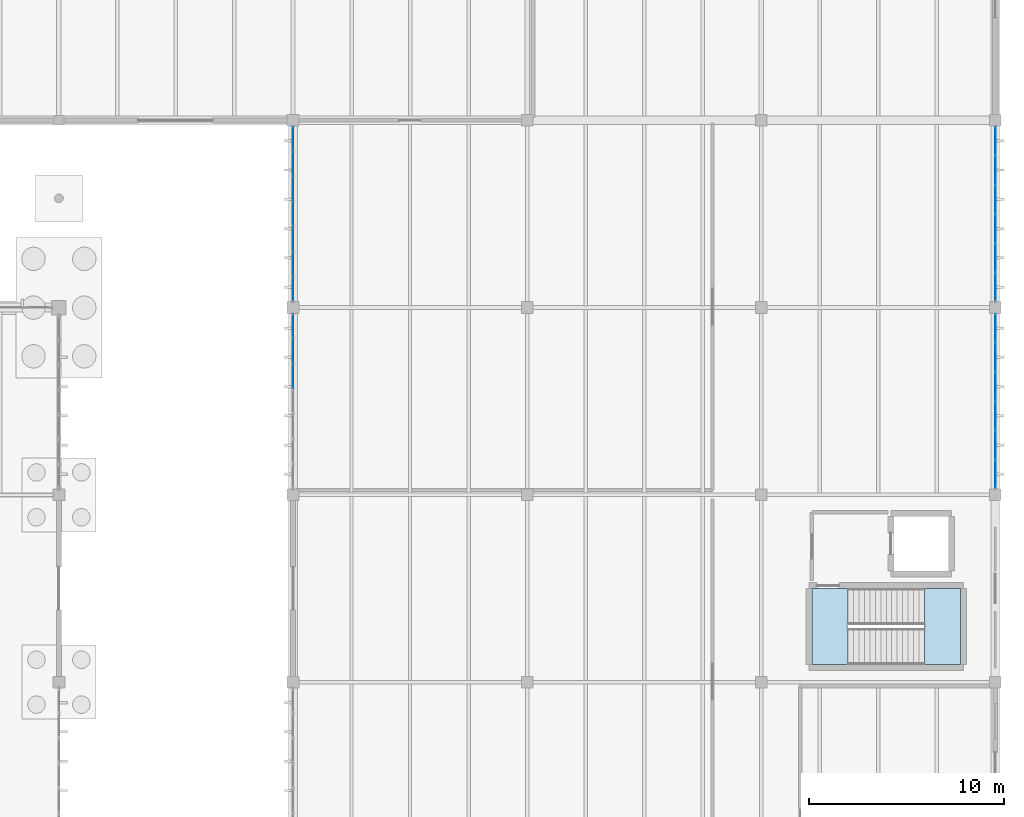
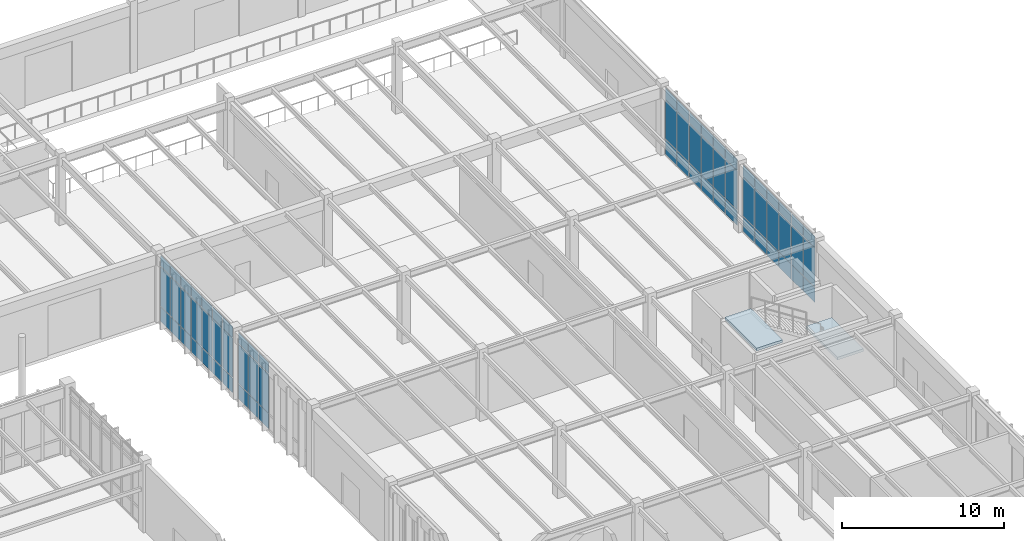
# One storey, part 144 of 188: 66 plates, 2 slabs, 5 elements without a shape of their own.
"""IFC4 building model written with IfcOpenShell, lengths in metres."""

from ifc_helpers import new_model, si_unit, direction, frame, origin, origin_2d, place, context, subcontext, project, spatial, polyline, rectangle, outline, extrude, material, layer, layer_set, type_object, element, aggregate, save


model = new_model("IFC4")

# Units and contexts
model_context = context("Model", 3, precision=1e-05, world=origin(), true_north=direction((0.0, 1.0)))
body_context = subcontext(model_context, "Body", "Model", "MODEL_VIEW")
ifc_project = project(units=[si_unit("LENGTHUNIT", "METRE"), si_unit("AREAUNIT", "SQUARE_METRE"), si_unit("VOLUMEUNIT", "CUBIC_METRE"), si_unit("PLANEANGLEUNIT", "RADIAN"), si_unit("MASSUNIT", "GRAM", prefix="KILO")], contexts=[model_context])

# Site, building, storey
site_placement = place(None, origin())
site = spatial("IfcSite", under=ifc_project, at=site_placement, CompositionType="ELEMENT")
building_placement = place(site_placement, origin())
building = spatial("IfcBuilding", under=site, at=building_placement, Name="Pandanus Reach Market Hall", CompositionType="ELEMENT")
storey_placement = place(building_placement, origin())
storey = spatial("IfcBuildingStorey", under=building, at=storey_placement, Name="L00", CompositionType="ELEMENT", Elevation=0.0)

# Curtain wall, plates
ifc_material_1 = material(Name="Bronze anodised aluminium and low-E glass", Category="aluminium")
ifc_layer_1 = layer(ifc_material_1, 0.159912109375, Name="CW-25")
ifc_layer_set_1 = layer_set([ifc_layer_1], Name="Bronze anodised aluminium and low-E glass")
curtain_wall_type_1 = type_object("IfcCurtainWallType", Name="CW-25", PredefinedType="NOTDEFINED", material=ifc_layer_set_1)
curtain_wall_1_placement = place(storey_placement, origin())
curtain_wall_1 = element("IfcCurtainWall", 1, at=curtain_wall_1_placement, inside=storey, type_object=curtain_wall_type_1, Name="Glazed curtain wall CW-25 CW-0073", PredefinedType="NOTDEFINED")
ifc_material_2 = material(Name="Solar-control double glazing", Category="glass")
ifc_layer_2 = layer(ifc_material_2, 0.028076171875, Name="CW-P1")
ifc_layer_set_2 = layer_set([ifc_layer_2], Name="Solar-control double glazing")
plate_type = type_object("IfcPlateType", Name="CW-P1", PredefinedType="CURTAIN_PANEL", material=ifc_layer_set_2)
plate_1_placement = place(storey_placement, frame((180.0, 77.8662109375, 0.06494140625), z_axis=(0.0, 0.0, 1.0), x_axis=(0.0, 1.0, 0.0)))
plate_1 = element("IfcPlate", 2, at=plate_1_placement, type_object=plate_type, Name="CW-25 panel 1.1", PredefinedType="CURTAIN_PANEL", context=body_context, shape_type="SweptSolid", body=[
    extrude(rectangle(XDim=1.402587890625, YDim=0.028076171875, at=origin_2d()), origin(), (0.0, 0.0, 1.0), 1.1025390625),
])
plate_2_placement = place(storey_placement, frame((180.0, 77.8662109375, 1.232421875), z_axis=(0.0, 0.0, 1.0), x_axis=(0.0, 1.0, 0.0)))
plate_2 = element("IfcPlate", 3, at=plate_2_placement, type_object=plate_type, Name="CW-25 panel 1.2", PredefinedType="CURTAIN_PANEL", context=body_context, shape_type="SweptSolid", body=[
    extrude(rectangle(XDim=1.402587890625, YDim=0.028076171875, at=origin_2d()), origin(), (0.0, 0.0, 1.0), 2.93505859375),
])
plate_3_placement = place(storey_placement, frame((180.0, 77.8662109375, 4.232421875), z_axis=(0.0, 0.0, 1.0), x_axis=(0.0, 1.0, 0.0)))
plate_3 = element("IfcPlate", 4, at=plate_3_placement, type_object=plate_type, Name="CW-25 panel 1.3", PredefinedType="CURTAIN_PANEL", context=body_context, shape_type="SweptSolid", body=[
    extrude(rectangle(XDim=1.402587890625, YDim=0.028076171875, at=origin_2d()), origin(), (0.0, 0.0, 1.0), 0.802490234375),
])
plate_4_placement = place(storey_placement, frame((180.0, 79.35009765625, 0.06494140625), z_axis=(0.0, 0.0, 1.0), x_axis=(0.0, 1.0, 0.0)))
plate_4 = element("IfcPlate", 5, at=plate_4_placement, type_object=plate_type, Name="CW-25 panel 2.1", PredefinedType="CURTAIN_PANEL", context=body_context, shape_type="SweptSolid", body=[
    extrude(rectangle(XDim=1.43505859375, YDim=0.028076171875, at=origin_2d()), origin(), (0.0, 0.0, 1.0), 1.1025390625),
])
plate_5_placement = place(storey_placement, frame((180.0, 79.35009765625, 1.232421875), z_axis=(0.0, 0.0, 1.0), x_axis=(0.0, 1.0, 0.0)))
plate_5 = element("IfcPlate", 6, at=plate_5_placement, type_object=plate_type, Name="CW-25 panel 2.2", PredefinedType="CURTAIN_PANEL", context=body_context, shape_type="SweptSolid", body=[
    extrude(rectangle(XDim=1.43505859375, YDim=0.028076171875, at=origin_2d()), origin(), (0.0, 0.0, 1.0), 2.93505859375),
])
plate_6_placement = place(storey_placement, frame((180.0, 79.35009765625, 4.232421875), z_axis=(0.0, 0.0, 1.0), x_axis=(0.0, 1.0, 0.0)))
plate_6 = element("IfcPlate", 7, at=plate_6_placement, type_object=plate_type, Name="CW-25 panel 2.3", PredefinedType="CURTAIN_PANEL", context=body_context, shape_type="SweptSolid", body=[
    extrude(rectangle(XDim=1.43505859375, YDim=0.028076171875, at=origin_2d()), origin(), (0.0, 0.0, 1.0), 0.802490234375),
])
plate_7_placement = place(storey_placement, frame((180.0, 80.85009765625, 0.06494140625), z_axis=(0.0, 0.0, 1.0), x_axis=(0.0, 1.0, 0.0)))
plate_7 = element("IfcPlate", 8, at=plate_7_placement, type_object=plate_type, Name="CW-25 panel 3.1", PredefinedType="CURTAIN_PANEL", context=body_context, shape_type="SweptSolid", body=[
    extrude(rectangle(XDim=1.43505859375, YDim=0.028076171875, at=origin_2d()), origin(), (0.0, 0.0, 1.0), 1.1025390625),
])
plate_8_placement = place(storey_placement, frame((180.0, 80.85009765625, 1.232421875), z_axis=(0.0, 0.0, 1.0), x_axis=(0.0, 1.0, 0.0)))
plate_8 = element("IfcPlate", 9, at=plate_8_placement, type_object=plate_type, Name="CW-25 panel 3.2", PredefinedType="CURTAIN_PANEL", context=body_context, shape_type="SweptSolid", body=[
    extrude(rectangle(XDim=1.43505859375, YDim=0.028076171875, at=origin_2d()), origin(), (0.0, 0.0, 1.0), 2.93505859375),
])
plate_9_placement = place(storey_placement, frame((180.0, 80.85009765625, 4.232421875), z_axis=(0.0, 0.0, 1.0), x_axis=(0.0, 1.0, 0.0)))
plate_9 = element("IfcPlate", 10, at=plate_9_placement, type_object=plate_type, Name="CW-25 panel 3.3", PredefinedType="CURTAIN_PANEL", context=body_context, shape_type="SweptSolid", body=[
    extrude(rectangle(XDim=1.43505859375, YDim=0.028076171875, at=origin_2d()), origin(), (0.0, 0.0, 1.0), 0.802490234375),
])
plate_10_placement = place(storey_placement, frame((180.0, 82.35009765625, 0.06494140625), z_axis=(0.0, 0.0, 1.0), x_axis=(0.0, 1.0, 0.0)))
plate_10 = element("IfcPlate", 11, at=plate_10_placement, type_object=plate_type, Name="CW-25 panel 4.1", PredefinedType="CURTAIN_PANEL", context=body_context, shape_type="SweptSolid", body=[
    extrude(rectangle(XDim=1.43505859375, YDim=0.028076171875, at=origin_2d()), origin(), (0.0, 0.0, 1.0), 1.1025390625),
])
plate_11_placement = place(storey_placement, frame((180.0, 82.35009765625, 1.232421875), z_axis=(0.0, 0.0, 1.0), x_axis=(0.0, 1.0, 0.0)))
plate_11 = element("IfcPlate", 12, at=plate_11_placement, type_object=plate_type, Name="CW-25 panel 4.2", PredefinedType="CURTAIN_PANEL", context=body_context, shape_type="SweptSolid", body=[
    extrude(rectangle(XDim=1.43505859375, YDim=0.028076171875, at=origin_2d()), origin(), (0.0, 0.0, 1.0), 2.93505859375),
])
plate_12_placement = place(storey_placement, frame((180.0, 82.35009765625, 4.232421875), z_axis=(0.0, 0.0, 1.0), x_axis=(0.0, 1.0, 0.0)))
plate_12 = element("IfcPlate", 13, at=plate_12_placement, type_object=plate_type, Name="CW-25 panel 4.3", PredefinedType="CURTAIN_PANEL", context=body_context, shape_type="SweptSolid", body=[
    extrude(rectangle(XDim=1.43505859375, YDim=0.028076171875, at=origin_2d()), origin(), (0.0, 0.0, 1.0), 0.802490234375),
])
plate_13_placement = place(storey_placement, frame((180.0, 83.85009765625, 0.06494140625), z_axis=(0.0, 0.0, 1.0), x_axis=(0.0, 1.0, 0.0)))
plate_13 = element("IfcPlate", 14, at=plate_13_placement, type_object=plate_type, Name="CW-25 panel 5.1", PredefinedType="CURTAIN_PANEL", context=body_context, shape_type="SweptSolid", body=[
    extrude(rectangle(XDim=1.43505859375, YDim=0.028076171875, at=origin_2d()), origin(), (0.0, 0.0, 1.0), 1.1025390625),
])
plate_14_placement = place(storey_placement, frame((180.0, 83.85009765625, 1.232421875), z_axis=(0.0, 0.0, 1.0), x_axis=(0.0, 1.0, 0.0)))
plate_14 = element("IfcPlate", 15, at=plate_14_placement, type_object=plate_type, Name="CW-25 panel 5.2", PredefinedType="CURTAIN_PANEL", context=body_context, shape_type="SweptSolid", body=[
    extrude(rectangle(XDim=1.43505859375, YDim=0.028076171875, at=origin_2d()), origin(), (0.0, 0.0, 1.0), 2.93505859375),
])
plate_15_placement = place(storey_placement, frame((180.0, 83.85009765625, 4.232421875), z_axis=(0.0, 0.0, 1.0), x_axis=(0.0, 1.0, 0.0)))
plate_15 = element("IfcPlate", 16, at=plate_15_placement, type_object=plate_type, Name="CW-25 panel 5.3", PredefinedType="CURTAIN_PANEL", context=body_context, shape_type="SweptSolid", body=[
    extrude(rectangle(XDim=1.43505859375, YDim=0.028076171875, at=origin_2d()), origin(), (0.0, 0.0, 1.0), 0.802490234375),
])
plate_16_placement = place(storey_placement, frame((180.0, 85.333740234375, 0.06494140625), z_axis=(0.0, 0.0, 1.0), x_axis=(0.0, 1.0, 0.0)))
plate_16 = element("IfcPlate", 17, at=plate_16_placement, type_object=plate_type, Name="CW-25 panel 6.1", PredefinedType="CURTAIN_PANEL", context=body_context, shape_type="SweptSolid", body=[
    extrude(rectangle(XDim=1.402587890625, YDim=0.028076171875, at=origin_2d()), origin(), (0.0, 0.0, 1.0), 1.1025390625),
])
plate_17_placement = place(storey_placement, frame((180.0, 85.333740234375, 1.232421875), z_axis=(0.0, 0.0, 1.0), x_axis=(0.0, 1.0, 0.0)))
plate_17 = element("IfcPlate", 18, at=plate_17_placement, type_object=plate_type, Name="CW-25 panel 6.2", PredefinedType="CURTAIN_PANEL", context=body_context, shape_type="SweptSolid", body=[
    extrude(rectangle(XDim=1.402587890625, YDim=0.028076171875, at=origin_2d()), origin(), (0.0, 0.0, 1.0), 2.93505859375),
])
plate_18_placement = place(storey_placement, frame((180.0, 85.333740234375, 4.232421875), z_axis=(0.0, 0.0, 1.0), x_axis=(0.0, 1.0, 0.0)))
plate_18 = element("IfcPlate", 19, at=plate_18_placement, type_object=plate_type, Name="CW-25 panel 6.3", PredefinedType="CURTAIN_PANEL", context=body_context, shape_type="SweptSolid", body=[
    extrude(rectangle(XDim=1.402587890625, YDim=0.028076171875, at=origin_2d()), origin(), (0.0, 0.0, 1.0), 0.802490234375),
])
aggregate(curtain_wall_1, [plate_1, plate_2, plate_3, plate_4, plate_5, plate_6, plate_7, plate_8, plate_9, plate_10, plate_11, plate_12, plate_13, plate_14, plate_15, plate_16, plate_17, plate_18])

curtain_wall_2_placement = place(storey_placement, origin())
curtain_wall_2 = element("IfcCurtainWall", 20, at=curtain_wall_2_placement, inside=storey, type_object=curtain_wall_type_1, Name="Glazed curtain wall CW-25 CW-0074", PredefinedType="NOTDEFINED")
plate_19_placement = place(storey_placement, frame((180.0, 87.46630859375, 0.06494140625), z_axis=(0.0, 0.0, 1.0), x_axis=(0.0, 1.0, 0.0)))
plate_19 = element("IfcPlate", 21, at=plate_19_placement, type_object=plate_type, Name="CW-25 panel 1.1", PredefinedType="CURTAIN_PANEL", context=body_context, shape_type="SweptSolid", body=[
    extrude(rectangle(XDim=1.402587890625, YDim=0.028076171875, at=origin_2d()), origin(), (0.0, 0.0, 1.0), 1.1025390625),
])
plate_20_placement = place(storey_placement, frame((180.0, 87.46630859375, 1.232421875), z_axis=(0.0, 0.0, 1.0), x_axis=(0.0, 1.0, 0.0)))
plate_20 = element("IfcPlate", 22, at=plate_20_placement, type_object=plate_type, Name="CW-25 panel 1.2", PredefinedType="CURTAIN_PANEL", context=body_context, shape_type="SweptSolid", body=[
    extrude(rectangle(XDim=1.402587890625, YDim=0.028076171875, at=origin_2d()), origin(), (0.0, 0.0, 1.0), 2.93505859375),
])
plate_21_placement = place(storey_placement, frame((180.0, 87.46630859375, 4.232421875), z_axis=(0.0, 0.0, 1.0), x_axis=(0.0, 1.0, 0.0)))
plate_21 = element("IfcPlate", 23, at=plate_21_placement, type_object=plate_type, Name="CW-25 panel 1.3", PredefinedType="CURTAIN_PANEL", context=body_context, shape_type="SweptSolid", body=[
    extrude(rectangle(XDim=1.402587890625, YDim=0.028076171875, at=origin_2d()), origin(), (0.0, 0.0, 1.0), 0.802490234375),
])
plate_22_placement = place(storey_placement, frame((180.0, 88.949951171875, 0.06494140625), z_axis=(0.0, 0.0, 1.0), x_axis=(0.0, 1.0, 0.0)))
plate_22 = element("IfcPlate", 24, at=plate_22_placement, type_object=plate_type, Name="CW-25 panel 2.1", PredefinedType="CURTAIN_PANEL", context=body_context, shape_type="SweptSolid", body=[
    extrude(rectangle(XDim=1.43505859375, YDim=0.028076171875, at=origin_2d()), origin(), (0.0, 0.0, 1.0), 1.1025390625),
])
plate_23_placement = place(storey_placement, frame((180.0, 88.949951171875, 1.232421875), z_axis=(0.0, 0.0, 1.0), x_axis=(0.0, 1.0, 0.0)))
plate_23 = element("IfcPlate", 25, at=plate_23_placement, type_object=plate_type, Name="CW-25 panel 2.2", PredefinedType="CURTAIN_PANEL", context=body_context, shape_type="SweptSolid", body=[
    extrude(rectangle(XDim=1.43505859375, YDim=0.028076171875, at=origin_2d()), origin(), (0.0, 0.0, 1.0), 2.93505859375),
])
plate_24_placement = place(storey_placement, frame((180.0, 88.949951171875, 4.232421875), z_axis=(0.0, 0.0, 1.0), x_axis=(0.0, 1.0, 0.0)))
plate_24 = element("IfcPlate", 26, at=plate_24_placement, type_object=plate_type, Name="CW-25 panel 2.3", PredefinedType="CURTAIN_PANEL", context=body_context, shape_type="SweptSolid", body=[
    extrude(rectangle(XDim=1.43505859375, YDim=0.028076171875, at=origin_2d()), origin(), (0.0, 0.0, 1.0), 0.802490234375),
])
plate_25_placement = place(storey_placement, frame((180.0, 90.449951171875, 0.06494140625), z_axis=(0.0, 0.0, 1.0), x_axis=(0.0, 1.0, 0.0)))
plate_25 = element("IfcPlate", 27, at=plate_25_placement, type_object=plate_type, Name="CW-25 panel 3.1", PredefinedType="CURTAIN_PANEL", context=body_context, shape_type="SweptSolid", body=[
    extrude(rectangle(XDim=1.43505859375, YDim=0.028076171875, at=origin_2d()), origin(), (0.0, 0.0, 1.0), 1.1025390625),
])
plate_26_placement = place(storey_placement, frame((180.0, 90.449951171875, 1.232421875), z_axis=(0.0, 0.0, 1.0), x_axis=(0.0, 1.0, 0.0)))
plate_26 = element("IfcPlate", 28, at=plate_26_placement, type_object=plate_type, Name="CW-25 panel 3.2", PredefinedType="CURTAIN_PANEL", context=body_context, shape_type="SweptSolid", body=[
    extrude(rectangle(XDim=1.43505859375, YDim=0.028076171875, at=origin_2d()), origin(), (0.0, 0.0, 1.0), 2.93505859375),
])
plate_27_placement = place(storey_placement, frame((180.0, 90.449951171875, 4.232421875), z_axis=(0.0, 0.0, 1.0), x_axis=(0.0, 1.0, 0.0)))
plate_27 = element("IfcPlate", 29, at=plate_27_placement, type_object=plate_type, Name="CW-25 panel 3.3", PredefinedType="CURTAIN_PANEL", context=body_context, shape_type="SweptSolid", body=[
    extrude(rectangle(XDim=1.43505859375, YDim=0.028076171875, at=origin_2d()), origin(), (0.0, 0.0, 1.0), 0.802490234375),
])
plate_28_placement = place(storey_placement, frame((180.0, 91.949951171875, 0.06494140625), z_axis=(0.0, 0.0, 1.0), x_axis=(0.0, 1.0, 0.0)))
plate_28 = element("IfcPlate", 30, at=plate_28_placement, type_object=plate_type, Name="CW-25 panel 4.1", PredefinedType="CURTAIN_PANEL", context=body_context, shape_type="SweptSolid", body=[
    extrude(rectangle(XDim=1.43505859375, YDim=0.028076171875, at=origin_2d()), origin(), (0.0, 0.0, 1.0), 1.1025390625),
])
plate_29_placement = place(storey_placement, frame((180.0, 91.949951171875, 1.232421875), z_axis=(0.0, 0.0, 1.0), x_axis=(0.0, 1.0, 0.0)))
plate_29 = element("IfcPlate", 31, at=plate_29_placement, type_object=plate_type, Name="CW-25 panel 4.2", PredefinedType="CURTAIN_PANEL", context=body_context, shape_type="SweptSolid", body=[
    extrude(rectangle(XDim=1.43505859375, YDim=0.028076171875, at=origin_2d()), origin(), (0.0, 0.0, 1.0), 2.93505859375),
])
plate_30_placement = place(storey_placement, frame((180.0, 91.949951171875, 4.232421875), z_axis=(0.0, 0.0, 1.0), x_axis=(0.0, 1.0, 0.0)))
plate_30 = element("IfcPlate", 32, at=plate_30_placement, type_object=plate_type, Name="CW-25 panel 4.3", PredefinedType="CURTAIN_PANEL", context=body_context, shape_type="SweptSolid", body=[
    extrude(rectangle(XDim=1.43505859375, YDim=0.028076171875, at=origin_2d()), origin(), (0.0, 0.0, 1.0), 0.802490234375),
])
plate_31_placement = place(storey_placement, frame((180.0, 93.449951171875, 0.06494140625), z_axis=(0.0, 0.0, 1.0), x_axis=(0.0, 1.0, 0.0)))
plate_31 = element("IfcPlate", 33, at=plate_31_placement, type_object=plate_type, Name="CW-25 panel 5.1", PredefinedType="CURTAIN_PANEL", context=body_context, shape_type="SweptSolid", body=[
    extrude(rectangle(XDim=1.43505859375, YDim=0.028076171875, at=origin_2d()), origin(), (0.0, 0.0, 1.0), 1.1025390625),
])
plate_32_placement = place(storey_placement, frame((180.0, 93.449951171875, 1.232421875), z_axis=(0.0, 0.0, 1.0), x_axis=(0.0, 1.0, 0.0)))
plate_32 = element("IfcPlate", 34, at=plate_32_placement, type_object=plate_type, Name="CW-25 panel 5.2", PredefinedType="CURTAIN_PANEL", context=body_context, shape_type="SweptSolid", body=[
    extrude(rectangle(XDim=1.43505859375, YDim=0.028076171875, at=origin_2d()), origin(), (0.0, 0.0, 1.0), 2.93505859375),
])
plate_33_placement = place(storey_placement, frame((180.0, 93.449951171875, 4.232421875), z_axis=(0.0, 0.0, 1.0), x_axis=(0.0, 1.0, 0.0)))
plate_33 = element("IfcPlate", 35, at=plate_33_placement, type_object=plate_type, Name="CW-25 panel 5.3", PredefinedType="CURTAIN_PANEL", context=body_context, shape_type="SweptSolid", body=[
    extrude(rectangle(XDim=1.43505859375, YDim=0.028076171875, at=origin_2d()), origin(), (0.0, 0.0, 1.0), 0.802490234375),
])
plate_34_placement = place(storey_placement, frame((180.0, 94.933837890625, 0.06494140625), z_axis=(0.0, 0.0, 1.0), x_axis=(0.0, 1.0, 0.0)))
plate_34 = element("IfcPlate", 36, at=plate_34_placement, type_object=plate_type, Name="CW-25 panel 6.1", PredefinedType="CURTAIN_PANEL", context=body_context, shape_type="SweptSolid", body=[
    extrude(rectangle(XDim=1.402587890625, YDim=0.028076171875, at=origin_2d()), origin(), (0.0, 0.0, 1.0), 1.1025390625),
])
plate_35_placement = place(storey_placement, frame((180.0, 94.933837890625, 1.232421875), z_axis=(0.0, 0.0, 1.0), x_axis=(0.0, 1.0, 0.0)))
plate_35 = element("IfcPlate", 37, at=plate_35_placement, type_object=plate_type, Name="CW-25 panel 6.2", PredefinedType="CURTAIN_PANEL", context=body_context, shape_type="SweptSolid", body=[
    extrude(rectangle(XDim=1.402587890625, YDim=0.028076171875, at=origin_2d()), origin(), (0.0, 0.0, 1.0), 2.93505859375),
])
plate_36_placement = place(storey_placement, frame((180.0, 94.933837890625, 4.232421875), z_axis=(0.0, 0.0, 1.0), x_axis=(0.0, 1.0, 0.0)))
plate_36 = element("IfcPlate", 38, at=plate_36_placement, type_object=plate_type, Name="CW-25 panel 6.3", PredefinedType="CURTAIN_PANEL", context=body_context, shape_type="SweptSolid", body=[
    extrude(rectangle(XDim=1.402587890625, YDim=0.028076171875, at=origin_2d()), origin(), (0.0, 0.0, 1.0), 0.802490234375),
])
aggregate(curtain_wall_2, [plate_19, plate_20, plate_21, plate_22, plate_23, plate_24, plate_25, plate_26, plate_27, plate_28, plate_29, plate_30, plate_31, plate_32, plate_33, plate_34, plate_35, plate_36])

ifc_layer_3 = layer(ifc_material_1, 0.159912109375, Name="CW-26")
ifc_layer_set_3 = layer_set([ifc_layer_3], Name="Bronze anodised aluminium and low-E glass")
curtain_wall_type_2 = type_object("IfcCurtainWallType", Name="CW-26", PredefinedType="NOTDEFINED", material=ifc_layer_set_3)
curtain_wall_3_placement = place(storey_placement, origin())
curtain_wall_3 = element("IfcCurtainWall", 39, at=curtain_wall_3_placement, inside=storey, type_object=curtain_wall_type_2, Name="Glazed curtain wall CW-26 CW-0080", PredefinedType="NOTDEFINED")
plate_37_placement = place(storey_placement, frame((144.0, 82.8857421875, 0.06494140625), z_axis=(0.0, 0.0, 1.0), x_axis=(0.0, 1.0, 0.0)))
plate_37 = element("IfcPlate", 40, at=plate_37_placement, type_object=plate_type, Name="CW-26 panel 5.1", PredefinedType="CURTAIN_PANEL", context=body_context, shape_type="SweptSolid", body=[
    extrude(rectangle(XDim=1.220703125, YDim=0.028076171875, at=origin_2d()), origin(), (0.0, 0.0, 1.0), 1.1025390625),
])
plate_38_placement = place(storey_placement, frame((144.0, 82.8857421875, 1.232421875), z_axis=(0.0, 0.0, 1.0), x_axis=(0.0, 1.0, 0.0)))
plate_38 = element("IfcPlate", 41, at=plate_38_placement, type_object=plate_type, Name="CW-26 panel 5.2", PredefinedType="CURTAIN_PANEL", context=body_context, shape_type="SweptSolid", body=[
    extrude(rectangle(XDim=1.220703125, YDim=0.028076171875, at=origin_2d()), origin(), (0.0, 0.0, 1.0), 2.93505859375),
])
plate_39_placement = place(storey_placement, frame((144.0, 82.8857421875, 4.232421875), z_axis=(0.0, 0.0, 1.0), x_axis=(0.0, 1.0, 0.0)))
plate_39 = element("IfcPlate", 42, at=plate_39_placement, type_object=plate_type, Name="CW-26 panel 5.3", PredefinedType="CURTAIN_PANEL", context=body_context, shape_type="SweptSolid", body=[
    extrude(rectangle(XDim=1.220703125, YDim=0.028076171875, at=origin_2d()), origin(), (0.0, 0.0, 1.0), 0.802490234375),
])
plate_40_placement = place(storey_placement, frame((144.0, 84.17138671875, 0.06494140625), z_axis=(0.0, 0.0, 1.0), x_axis=(0.0, 1.0, 0.0)))
plate_40 = element("IfcPlate", 43, at=plate_40_placement, type_object=plate_type, Name="CW-26 panel 6.1", PredefinedType="CURTAIN_PANEL", context=body_context, shape_type="SweptSolid", body=[
    extrude(rectangle(XDim=1.220703125, YDim=0.028076171875, at=origin_2d()), origin(), (0.0, 0.0, 1.0), 1.1025390625),
])
plate_41_placement = place(storey_placement, frame((144.0, 84.17138671875, 1.232421875), z_axis=(0.0, 0.0, 1.0), x_axis=(0.0, 1.0, 0.0)))
plate_41 = element("IfcPlate", 44, at=plate_41_placement, type_object=plate_type, Name="CW-26 panel 6.2", PredefinedType="CURTAIN_PANEL", context=body_context, shape_type="SweptSolid", body=[
    extrude(rectangle(XDim=1.220703125, YDim=0.028076171875, at=origin_2d()), origin(), (0.0, 0.0, 1.0), 2.93505859375),
])
plate_42_placement = place(storey_placement, frame((144.0, 84.17138671875, 4.232421875), z_axis=(0.0, 0.0, 1.0), x_axis=(0.0, 1.0, 0.0)))
plate_42 = element("IfcPlate", 45, at=plate_42_placement, type_object=plate_type, Name="CW-26 panel 6.3", PredefinedType="CURTAIN_PANEL", context=body_context, shape_type="SweptSolid", body=[
    extrude(rectangle(XDim=1.220703125, YDim=0.028076171875, at=origin_2d()), origin(), (0.0, 0.0, 1.0), 0.802490234375),
])
plate_43_placement = place(storey_placement, frame((144.0, 85.44091796875, 0.06494140625), z_axis=(0.0, 0.0, 1.0), x_axis=(0.0, 1.0, 0.0)))
plate_43 = element("IfcPlate", 46, at=plate_43_placement, type_object=plate_type, Name="CW-26 panel 7.1", PredefinedType="CURTAIN_PANEL", context=body_context, shape_type="SweptSolid", body=[
    extrude(rectangle(XDim=1.188232421875, YDim=0.028076171875, at=origin_2d()), origin(), (0.0, 0.0, 1.0), 1.1025390625),
])
plate_44_placement = place(storey_placement, frame((144.0, 85.44091796875, 1.232421875), z_axis=(0.0, 0.0, 1.0), x_axis=(0.0, 1.0, 0.0)))
plate_44 = element("IfcPlate", 47, at=plate_44_placement, type_object=plate_type, Name="CW-26 panel 7.2", PredefinedType="CURTAIN_PANEL", context=body_context, shape_type="SweptSolid", body=[
    extrude(rectangle(XDim=1.188232421875, YDim=0.028076171875, at=origin_2d()), origin(), (0.0, 0.0, 1.0), 2.93505859375),
])
plate_45_placement = place(storey_placement, frame((144.0, 85.44091796875, 4.232421875), z_axis=(0.0, 0.0, 1.0), x_axis=(0.0, 1.0, 0.0)))
plate_45 = element("IfcPlate", 48, at=plate_45_placement, type_object=plate_type, Name="CW-26 panel 7.3", PredefinedType="CURTAIN_PANEL", context=body_context, shape_type="SweptSolid", body=[
    extrude(rectangle(XDim=1.188232421875, YDim=0.028076171875, at=origin_2d()), origin(), (0.0, 0.0, 1.0), 0.802490234375),
])
aggregate(curtain_wall_3, [plate_37, plate_38, plate_39, plate_40, plate_41, plate_42, plate_43, plate_44, plate_45])

curtain_wall_4_placement = place(storey_placement, origin())
curtain_wall_4 = element("IfcCurtainWall", 49, at=curtain_wall_4_placement, inside=storey, type_object=curtain_wall_type_2, Name="Glazed curtain wall CW-26 CW-0081", PredefinedType="NOTDEFINED")
plate_46_placement = place(storey_placement, frame((144.0, 87.359130859375, 0.06494140625), z_axis=(0.0, 0.0, 1.0), x_axis=(0.0, 1.0, 0.0)))
plate_46 = element("IfcPlate", 50, at=plate_46_placement, type_object=plate_type, Name="CW-26 panel 1.1", PredefinedType="CURTAIN_PANEL", context=body_context, shape_type="SweptSolid", body=[
    extrude(rectangle(XDim=1.188232421875, YDim=0.028076171875, at=origin_2d()), origin(), (0.0, 0.0, 1.0), 1.1025390625),
])
plate_47_placement = place(storey_placement, frame((144.0, 87.359130859375, 1.232421875), z_axis=(0.0, 0.0, 1.0), x_axis=(0.0, 1.0, 0.0)))
plate_47 = element("IfcPlate", 51, at=plate_47_placement, type_object=plate_type, Name="CW-26 panel 1.2", PredefinedType="CURTAIN_PANEL", context=body_context, shape_type="SweptSolid", body=[
    extrude(rectangle(XDim=1.188232421875, YDim=0.028076171875, at=origin_2d()), origin(), (0.0, 0.0, 1.0), 2.93505859375),
])
plate_48_placement = place(storey_placement, frame((144.0, 87.359130859375, 4.232421875), z_axis=(0.0, 0.0, 1.0), x_axis=(0.0, 1.0, 0.0)))
plate_48 = element("IfcPlate", 52, at=plate_48_placement, type_object=plate_type, Name="CW-26 panel 1.3", PredefinedType="CURTAIN_PANEL", context=body_context, shape_type="SweptSolid", body=[
    extrude(rectangle(XDim=1.188232421875, YDim=0.028076171875, at=origin_2d()), origin(), (0.0, 0.0, 1.0), 0.802490234375),
])
plate_49_placement = place(storey_placement, frame((144.0, 88.628662109375, 0.06494140625), z_axis=(0.0, 0.0, 1.0), x_axis=(0.0, 1.0, 0.0)))
plate_49 = element("IfcPlate", 53, at=plate_49_placement, type_object=plate_type, Name="CW-26 panel 2.1", PredefinedType="CURTAIN_PANEL", context=body_context, shape_type="SweptSolid", body=[
    extrude(rectangle(XDim=1.220703125, YDim=0.028076171875, at=origin_2d()), origin(), (0.0, 0.0, 1.0), 1.1025390625),
])
plate_50_placement = place(storey_placement, frame((144.0, 88.628662109375, 1.232421875), z_axis=(0.0, 0.0, 1.0), x_axis=(0.0, 1.0, 0.0)))
plate_50 = element("IfcPlate", 54, at=plate_50_placement, type_object=plate_type, Name="CW-26 panel 2.2", PredefinedType="CURTAIN_PANEL", context=body_context, shape_type="SweptSolid", body=[
    extrude(rectangle(XDim=1.220703125, YDim=0.028076171875, at=origin_2d()), origin(), (0.0, 0.0, 1.0), 2.93505859375),
])
plate_51_placement = place(storey_placement, frame((144.0, 88.628662109375, 4.232421875), z_axis=(0.0, 0.0, 1.0), x_axis=(0.0, 1.0, 0.0)))
plate_51 = element("IfcPlate", 55, at=plate_51_placement, type_object=plate_type, Name="CW-26 panel 2.3", PredefinedType="CURTAIN_PANEL", context=body_context, shape_type="SweptSolid", body=[
    extrude(rectangle(XDim=1.220703125, YDim=0.028076171875, at=origin_2d()), origin(), (0.0, 0.0, 1.0), 0.802490234375),
])
plate_52_placement = place(storey_placement, frame((144.0, 89.914306640625, 0.06494140625), z_axis=(0.0, 0.0, 1.0), x_axis=(0.0, 1.0, 0.0)))
plate_52 = element("IfcPlate", 56, at=plate_52_placement, type_object=plate_type, Name="CW-26 panel 3.1", PredefinedType="CURTAIN_PANEL", context=body_context, shape_type="SweptSolid", body=[
    extrude(rectangle(XDim=1.220703125, YDim=0.028076171875, at=origin_2d()), origin(), (0.0, 0.0, 1.0), 1.1025390625),
])
plate_53_placement = place(storey_placement, frame((144.0, 89.914306640625, 1.232421875), z_axis=(0.0, 0.0, 1.0), x_axis=(0.0, 1.0, 0.0)))
plate_53 = element("IfcPlate", 57, at=plate_53_placement, type_object=plate_type, Name="CW-26 panel 3.2", PredefinedType="CURTAIN_PANEL", context=body_context, shape_type="SweptSolid", body=[
    extrude(rectangle(XDim=1.220703125, YDim=0.028076171875, at=origin_2d()), origin(), (0.0, 0.0, 1.0), 2.93505859375),
])
plate_54_placement = place(storey_placement, frame((144.0, 89.914306640625, 4.232421875), z_axis=(0.0, 0.0, 1.0), x_axis=(0.0, 1.0, 0.0)))
plate_54 = element("IfcPlate", 58, at=plate_54_placement, type_object=plate_type, Name="CW-26 panel 3.3", PredefinedType="CURTAIN_PANEL", context=body_context, shape_type="SweptSolid", body=[
    extrude(rectangle(XDim=1.220703125, YDim=0.028076171875, at=origin_2d()), origin(), (0.0, 0.0, 1.0), 0.802490234375),
])
plate_55_placement = place(storey_placement, frame((144.0, 91.199951171875, 0.06494140625), z_axis=(0.0, 0.0, 1.0), x_axis=(0.0, 1.0, 0.0)))
plate_55 = element("IfcPlate", 59, at=plate_55_placement, type_object=plate_type, Name="CW-26 panel 4.1", PredefinedType="CURTAIN_PANEL", context=body_context, shape_type="SweptSolid", body=[
    extrude(rectangle(XDim=1.220703125, YDim=0.028076171875, at=origin_2d()), origin(), (0.0, 0.0, 1.0), 1.1025390625),
])
plate_56_placement = place(storey_placement, frame((144.0, 91.199951171875, 1.232421875), z_axis=(0.0, 0.0, 1.0), x_axis=(0.0, 1.0, 0.0)))
plate_56 = element("IfcPlate", 60, at=plate_56_placement, type_object=plate_type, Name="CW-26 panel 4.2", PredefinedType="CURTAIN_PANEL", context=body_context, shape_type="SweptSolid", body=[
    extrude(rectangle(XDim=1.220703125, YDim=0.028076171875, at=origin_2d()), origin(), (0.0, 0.0, 1.0), 2.93505859375),
])
plate_57_placement = place(storey_placement, frame((144.0, 91.199951171875, 4.232421875), z_axis=(0.0, 0.0, 1.0), x_axis=(0.0, 1.0, 0.0)))
plate_57 = element("IfcPlate", 61, at=plate_57_placement, type_object=plate_type, Name="CW-26 panel 4.3", PredefinedType="CURTAIN_PANEL", context=body_context, shape_type="SweptSolid", body=[
    extrude(rectangle(XDim=1.220703125, YDim=0.028076171875, at=origin_2d()), origin(), (0.0, 0.0, 1.0), 0.802490234375),
])
plate_58_placement = place(storey_placement, frame((144.0, 92.485595703125, 0.06494140625), z_axis=(0.0, 0.0, 1.0), x_axis=(0.0, 1.0, 0.0)))
plate_58 = element("IfcPlate", 62, at=plate_58_placement, type_object=plate_type, Name="CW-26 panel 5.1", PredefinedType="CURTAIN_PANEL", context=body_context, shape_type="SweptSolid", body=[
    extrude(rectangle(XDim=1.220703125, YDim=0.028076171875, at=origin_2d()), origin(), (0.0, 0.0, 1.0), 1.1025390625),
])
plate_59_placement = place(storey_placement, frame((144.0, 92.485595703125, 1.232421875), z_axis=(0.0, 0.0, 1.0), x_axis=(0.0, 1.0, 0.0)))
plate_59 = element("IfcPlate", 63, at=plate_59_placement, type_object=plate_type, Name="CW-26 panel 5.2", PredefinedType="CURTAIN_PANEL", context=body_context, shape_type="SweptSolid", body=[
    extrude(rectangle(XDim=1.220703125, YDim=0.028076171875, at=origin_2d()), origin(), (0.0, 0.0, 1.0), 2.93505859375),
])
plate_60_placement = place(storey_placement, frame((144.0, 92.485595703125, 4.232421875), z_axis=(0.0, 0.0, 1.0), x_axis=(0.0, 1.0, 0.0)))
plate_60 = element("IfcPlate", 64, at=plate_60_placement, type_object=plate_type, Name="CW-26 panel 5.3", PredefinedType="CURTAIN_PANEL", context=body_context, shape_type="SweptSolid", body=[
    extrude(rectangle(XDim=1.220703125, YDim=0.028076171875, at=origin_2d()), origin(), (0.0, 0.0, 1.0), 0.802490234375),
])
plate_61_placement = place(storey_placement, frame((144.0, 93.771484375, 0.06494140625), z_axis=(0.0, 0.0, 1.0), x_axis=(0.0, 1.0, 0.0)))
plate_61 = element("IfcPlate", 65, at=plate_61_placement, type_object=plate_type, Name="CW-26 panel 6.1", PredefinedType="CURTAIN_PANEL", context=body_context, shape_type="SweptSolid", body=[
    extrude(rectangle(XDim=1.220703125, YDim=0.028076171875, at=origin_2d()), origin(), (0.0, 0.0, 1.0), 1.1025390625),
])
plate_62_placement = place(storey_placement, frame((144.0, 93.771484375, 1.232421875), z_axis=(0.0, 0.0, 1.0), x_axis=(0.0, 1.0, 0.0)))
plate_62 = element("IfcPlate", 66, at=plate_62_placement, type_object=plate_type, Name="CW-26 panel 6.2", PredefinedType="CURTAIN_PANEL", context=body_context, shape_type="SweptSolid", body=[
    extrude(rectangle(XDim=1.220703125, YDim=0.028076171875, at=origin_2d()), origin(), (0.0, 0.0, 1.0), 2.93505859375),
])
plate_63_placement = place(storey_placement, frame((144.0, 93.771484375, 4.232421875), z_axis=(0.0, 0.0, 1.0), x_axis=(0.0, 1.0, 0.0)))
plate_63 = element("IfcPlate", 67, at=plate_63_placement, type_object=plate_type, Name="CW-26 panel 6.3", PredefinedType="CURTAIN_PANEL", context=body_context, shape_type="SweptSolid", body=[
    extrude(rectangle(XDim=1.220703125, YDim=0.028076171875, at=origin_2d()), origin(), (0.0, 0.0, 1.0), 0.802490234375),
])
plate_64_placement = place(storey_placement, frame((144.0, 95.040771484375, 0.06494140625), z_axis=(0.0, 0.0, 1.0), x_axis=(0.0, 1.0, 0.0)))
plate_64 = element("IfcPlate", 68, at=plate_64_placement, type_object=plate_type, Name="CW-26 panel 7.1", PredefinedType="CURTAIN_PANEL", context=body_context, shape_type="SweptSolid", body=[
    extrude(rectangle(XDim=1.188232421875, YDim=0.028076171875, at=origin_2d()), origin(), (0.0, 0.0, 1.0), 1.1025390625),
])
plate_65_placement = place(storey_placement, frame((144.0, 95.040771484375, 1.232421875), z_axis=(0.0, 0.0, 1.0), x_axis=(0.0, 1.0, 0.0)))
plate_65 = element("IfcPlate", 69, at=plate_65_placement, type_object=plate_type, Name="CW-26 panel 7.2", PredefinedType="CURTAIN_PANEL", context=body_context, shape_type="SweptSolid", body=[
    extrude(rectangle(XDim=1.188232421875, YDim=0.028076171875, at=origin_2d()), origin(), (0.0, 0.0, 1.0), 2.93505859375),
])
plate_66_placement = place(storey_placement, frame((144.0, 95.040771484375, 4.232421875), z_axis=(0.0, 0.0, 1.0), x_axis=(0.0, 1.0, 0.0)))
plate_66 = element("IfcPlate", 70, at=plate_66_placement, type_object=plate_type, Name="CW-26 panel 7.3", PredefinedType="CURTAIN_PANEL", context=body_context, shape_type="SweptSolid", body=[
    extrude(rectangle(XDim=1.188232421875, YDim=0.028076171875, at=origin_2d()), origin(), (0.0, 0.0, 1.0), 0.802490234375),
])
aggregate(curtain_wall_4, [plate_46, plate_47, plate_48, plate_49, plate_50, plate_51, plate_52, plate_53, plate_54, plate_55, plate_56, plate_57, plate_58, plate_59, plate_60, plate_61, plate_62, plate_63, plate_64, plate_65, plate_66])

# Stair, slabs
ifc_material_3 = material(Name="Concrete N40 (40 MPa)", Category="concrete")
stair_type = type_object("IfcStairType", Name="STR-02", PredefinedType="HALF_TURN_STAIR", material=ifc_material_3)
stair_placement = place(storey_placement, origin())
stair = element("IfcStair", 71, at=stair_placement, inside=storey, type_object=stair_type, Name="Stair ST-02 L00", PredefinedType="HALF_TURN_STAIR")
ifc_layer_4 = layer(ifc_material_3, 0.199951171875, Name="SL-LND-200")
ifc_layer_set_4 = layer_set([ifc_layer_4], Name="Concrete N40 (40 MPa)")
slab_type = type_object("IfcSlabType", Name="SL-LND-200", PredefinedType="LANDING", material=ifc_layer_set_4)
slab_1_placement = place(storey_placement, frame((0.0, 0.0, 2.5)))
slab_1 = element("IfcSlab", 72, at=slab_1_placement, type_object=slab_type, Name="STR-02 landing 1", PredefinedType="LANDING", context=body_context, shape_type="SweptSolid", body=[
    extrude(outline(polyline([(176.3701171875, 68.10009765625), (178.219970703125, 68.10009765625), (178.219970703125, 72.0), (176.3701171875, 72.0), (176.3701171875, 68.10009765625)])), origin(), (0.0, 0.0, 1.0), 0.199951171875),
])
slab_2_placement = place(storey_placement, frame((0.0, 0.0, 5.199951171875)))
slab_2 = element("IfcSlab", 73, at=slab_2_placement, type_object=slab_type, Name="STR-02 landing 2", PredefinedType="LANDING", context=body_context, shape_type="SweptSolid", body=[
    extrude(outline(polyline([(170.60009765625, 68.10009765625), (172.449951171875, 68.10009765625), (172.449951171875, 72.0), (170.60009765625, 72.0), (170.60009765625, 68.10009765625)])), origin(), (0.0, 0.0, 1.0), 0.199951171875),
])
aggregate(stair, [slab_1, slab_2])

save(model, "model.ifc")
